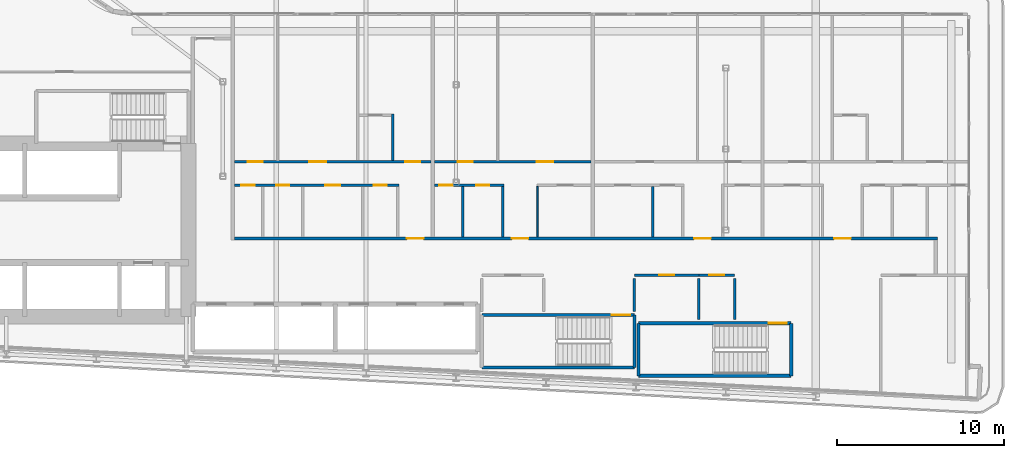
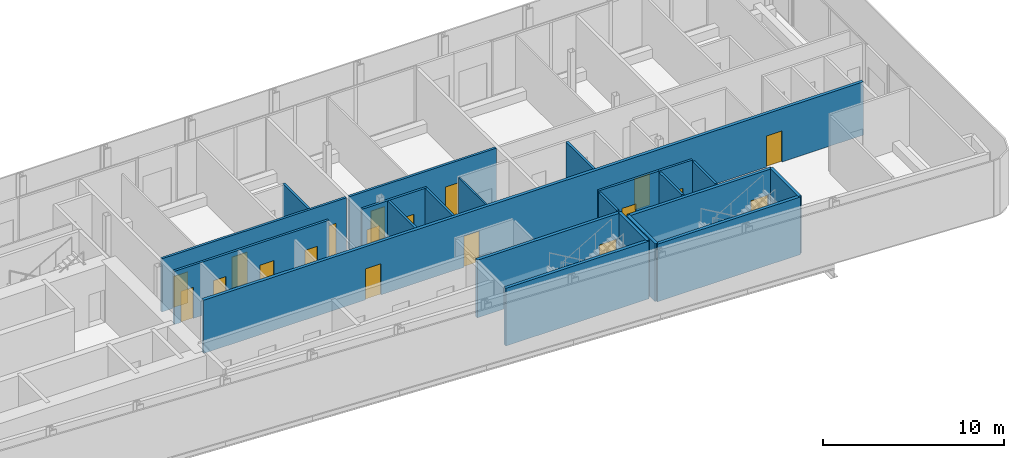
# One storey, part 15 of 27: 22 walls, 19 doors, 19 openings.
"""IFC4 building model written with IfcOpenShell, lengths in metres."""

from ifc_helpers import new_model, si_unit, direction, frame, frame_2d, origin, place, context, subcontext, project, spatial, rectangle, extrude, source, transform, mapped, material, layer, layer_set, type_object, element, fill, save


model = new_model("IFC4")

# Units and contexts
model_context = context("Model", 3, precision=1e-05, world=origin(), true_north=direction((0.0, 1.0)))
body_context = subcontext(model_context, "Body", "Model", "MODEL_VIEW")
ifc_project = project(units=[si_unit("LENGTHUNIT", "METRE"), si_unit("AREAUNIT", "SQUARE_METRE"), si_unit("VOLUMEUNIT", "CUBIC_METRE"), si_unit("PLANEANGLEUNIT", "RADIAN"), si_unit("MASSUNIT", "GRAM", prefix="KILO")], contexts=[model_context])

# Site, building, storey
site_placement = place(None, origin())
site = spatial("IfcSite", under=ifc_project, at=site_placement, CompositionType="ELEMENT")
building_placement = place(site_placement, origin())
building = spatial("IfcBuilding", under=site, at=building_placement, Name="Kheshtan School and Residences Tower", CompositionType="ELEMENT")
storey_placement = place(building_placement, frame((0.0, 0.0, 101.89990234375)))
storey = spatial("IfcBuildingStorey", under=building, at=storey_placement, Name="L23", CompositionType="ELEMENT", Elevation=101.89990234375)

# Wall, openings, doors
ifc_material_1 = material(Name="Gypsum board on steel studs with fire boards", Category="steel")
ifc_layer_1 = layer(ifc_material_1, 0.199951171875)
ifc_layer_set_1 = layer_set([ifc_layer_1], Name="Corridor wall 200")
wall_type_1 = type_object("IfcWallType", Name="Corridor wall 200", PredefinedType="PARTITIONING", material=ifc_layer_set_1)
wall_1_placement = place(storey_placement, frame((55.89990234375, 30.5, 0.0), z_axis=(0.0, 0.0, 1.0), x_axis=(1.0, 0.0, 0.0)))
wall_1 = element("IfcWall", 1, at=wall_1_placement, inside=storey, type_object=wall_type_1, Name="Partition L23-030", PredefinedType="PARTITIONING", context=body_context, shape_type="SweptSolid", body=[
    extrude(rectangle(XDim=42.2001953125, YDim=0.199951171875, at=frame_2d((21.10009765625, 0.0))), origin(), (0.0, 0.0, 1.0), 3.60009765625),
])
opening_1_placement = place(wall_1_placement, frame((10.35009765625, 0.0, 0.0)))
opening_1 = element("IfcOpeningElement", 2, at=opening_1_placement, cuts=wall_1, Name="Opening D23-004", PredefinedType="OPENING", context=body_context, shape_type="SweptSolid", body=[
    extrude(rectangle(XDim=1.0, YDim=2.10009765625, at=frame_2d((0.5, 1.050048828125))), frame((0.0, 0.10986328125, 0.0), z_axis=(0.0, -1.0, 0.0), x_axis=(1.0, 0.0, 0.0)), (0.0, 0.0, 1.0), 0.219970703125),
])
opening_2_placement = place(wall_1_placement, frame((16.64990234375, 0.0, 0.0)))
opening_2 = element("IfcOpeningElement", 3, at=opening_2_placement, cuts=wall_1, Name="Opening D23-012", PredefinedType="OPENING", context=body_context, shape_type="SweptSolid", body=[
    extrude(rectangle(XDim=1.0, YDim=2.10009765625, at=frame_2d((0.5, 1.050048828125))), frame((0.0, 0.10986328125, 0.0), z_axis=(0.0, -1.0, 0.0), x_axis=(1.0, 0.0, 0.0)), (0.0, 0.0, 1.0), 0.219970703125),
])
opening_3_placement = place(wall_1_placement, frame((27.60009765625, 0.0, 0.0)))
opening_3 = element("IfcOpeningElement", 4, at=opening_3_placement, cuts=wall_1, Name="Opening D23-018", PredefinedType="OPENING", context=body_context, shape_type="SweptSolid", body=[
    extrude(rectangle(XDim=1.0, YDim=2.10009765625, at=frame_2d((0.5, 1.050048828125))), frame((0.0, 0.10986328125, 0.0), z_axis=(0.0, -1.0, 0.0), x_axis=(1.0, 0.0, 0.0)), (0.0, 0.0, 1.0), 0.219970703125),
])
opening_4_placement = place(wall_1_placement, frame((36.0, 0.0, 0.0)))
opening_4 = element("IfcOpeningElement", 5, at=opening_4_placement, cuts=wall_1, Name="Opening D23-025", PredefinedType="OPENING", context=body_context, shape_type="SweptSolid", body=[
    extrude(rectangle(XDim=1.0, YDim=2.10009765625, at=frame_2d((0.5, 1.050048828125))), frame((0.0, 0.10986328125, 0.0), z_axis=(0.0, -1.0, 0.0), x_axis=(1.0, 0.0, 0.0)), (0.0, 0.0, 1.0), 0.219970703125),
])
ifc_material_2 = material(Name="Steel-framed fire-resisting door leaf", Category="steel")
door_type_1 = type_object("IfcDoorType", Name="Fire door FD30S 1000 x 2100", OperationType="SINGLE_SWING_LEFT", PredefinedType="DOOR", material=ifc_material_2)
shared_shape_1 = source(origin(), body_context, "Body", "SweptSolid", [
    extrude(rectangle(XDim=1.0, YDim=2.10009765625, at=frame_2d((0.5, 1.050048828125))), frame((0.0, 0.02490234375, 0.0), z_axis=(0.0, -1.0, 0.0), x_axis=(1.0, 0.0, 0.0)), (0.0, 0.0, 1.0), 0.050048828125),
])
door_1_placement = place(opening_1_placement, origin())
door_1 = element("IfcDoor", 6, at=door_1_placement, inside=storey, type_object=door_type_1, Name="Door D23-004", OperationType="SINGLE_SWING_RIGHT", OverallHeight=2.10009765625, OverallWidth=1.0, PredefinedType="DOOR", context=body_context, shape_type="MappedRepresentation", body=[
    mapped(shared_shape_1, transform((0.0, 0.0, 0.0), x_axis=(1.0, 0.0, 0.0), y_axis=(0.0, 1.0, 0.0), z_axis=(0.0, 0.0, 1.0), scale=1.0)),
])
fill(opening_1, door_1)
door_2_placement = place(opening_2_placement, origin())
door_2 = element("IfcDoor", 7, at=door_2_placement, inside=storey, type_object=door_type_1, Name="Door D23-012", OperationType="SINGLE_SWING_RIGHT", OverallHeight=2.10009765625, OverallWidth=1.0, PredefinedType="DOOR", context=body_context, shape_type="MappedRepresentation", body=[
    mapped(shared_shape_1, transform((0.0, 0.0, 0.0), x_axis=(1.0, 0.0, 0.0), y_axis=(0.0, 1.0, 0.0), z_axis=(0.0, 0.0, 1.0), scale=1.0)),
])
fill(opening_2, door_2)
door_3_placement = place(opening_3_placement, origin())
door_3 = element("IfcDoor", 8, at=door_3_placement, inside=storey, type_object=door_type_1, Name="Door D23-018", OperationType="SINGLE_SWING_RIGHT", OverallHeight=2.10009765625, OverallWidth=1.0, PredefinedType="DOOR", context=body_context, shape_type="MappedRepresentation", body=[
    mapped(shared_shape_1, transform((0.0, 0.0, 0.0), x_axis=(1.0, 0.0, 0.0), y_axis=(0.0, 1.0, 0.0), z_axis=(0.0, 0.0, 1.0), scale=1.0)),
])
fill(opening_3, door_3)
door_4_placement = place(opening_4_placement, origin())
door_4 = element("IfcDoor", 9, at=door_4_placement, inside=storey, type_object=door_type_1, Name="Door D23-025", OperationType="SINGLE_SWING_RIGHT", OverallHeight=2.10009765625, OverallWidth=1.0, PredefinedType="DOOR", context=body_context, shape_type="MappedRepresentation", body=[
    mapped(shared_shape_1, transform((0.0, 0.0, 0.0), x_axis=(1.0, 0.0, 0.0), y_axis=(0.0, 1.0, 0.0), z_axis=(0.0, 0.0, 1.0), scale=1.0)),
])
fill(opening_4, door_4)

# Wall
ifc_material_3 = material(Name="Gypsum board on steel studs", Category="steel")
ifc_layer_2 = layer(ifc_material_3, 0.10009765625)
ifc_layer_set_2 = layer_set([ifc_layer_2], Name="Gypsum partition 100")
wall_type_2 = type_object("IfcWallType", Name="Gypsum partition 100", PredefinedType="PARTITIONING", material=ifc_layer_set_2)
wall_2_placement = place(storey_placement, frame((74.10009765625, 30.60009765625, 0.0), z_axis=(0.0, 0.0, 1.0), x_axis=(0.0, 1.0, 0.0)))
element("IfcWall", 10, at=wall_2_placement, inside=storey, type_object=wall_type_2, Name="Partition L23-048", PredefinedType="PARTITIONING", context=body_context, shape_type="SweptSolid", body=[
    extrude(rectangle(XDim=3.02490234375, YDim=0.10009765625, at=frame_2d((1.512451171875, 0.0))), origin(), (0.0, 0.0, 1.0), 3.60009765625),
])

# Wall, opening, door
ifc_material_4 = material(Name="Fire-board shaft wall system")
ifc_layer_3 = layer(ifc_material_4, 0.14990234375)
ifc_layer_set_3 = layer_set([ifc_layer_3], Name="Service room wall 150")
wall_type_3 = type_object("IfcWallType", Name="Service room wall 150", PredefinedType="PARTITIONING", material=ifc_layer_set_3)
wall_3_placement = place(storey_placement, frame((79.909912109375, 28.300048828125, 0.0), z_axis=(0.0, 0.0, 1.0), x_axis=(1.0, 0.0, 0.0)))
wall_3 = element("IfcWall", 11, at=wall_3_placement, inside=storey, type_object=wall_type_3, Name="Service room wall", PredefinedType="PARTITIONING", context=body_context, shape_type="SweptSolid", body=[
    extrude(rectangle(XDim=3.864990234375, YDim=0.14990234375, at=frame_2d((1.9326171875, 0.0))), origin(), (0.0, 0.0, 1.0), 3.900146484375),
])
opening_5_placement = place(wall_3_placement, frame((1.48193359375, 0.0, 0.0)))
opening_5 = element("IfcOpeningElement", 12, at=opening_5_placement, cuts=wall_3, Name="Opening SR90", PredefinedType="OPENING", context=body_context, shape_type="SweptSolid", body=[
    extrude(rectangle(XDim=0.89990234375, YDim=2.199951171875, at=frame_2d((0.449951171875, 1.10009765625))), frame((0.0, 0.0849609375, 0.0), z_axis=(0.0, -1.0, 0.0), x_axis=(1.0, 0.0, 0.0)), (0.0, 0.0, 1.0), 0.169921875),
])
ifc_material_5 = material(Name="Steel door leaf, galvanised", Category="steel")
door_type_2 = type_object("IfcDoorType", Name="Service room door 900 steel 90 min", OperationType="SINGLE_SWING_LEFT", PredefinedType="DOOR", material=ifc_material_5)
shared_shape_2 = source(origin(), body_context, "Body", "SweptSolid", [
    extrude(rectangle(XDim=0.89990234375, YDim=2.199951171875, at=frame_2d((0.449951171875, 1.10009765625))), frame((0.0, 0.02490234375, 0.0), z_axis=(0.0, -1.0, 0.0), x_axis=(1.0, 0.0, 0.0)), (0.0, 0.0, 1.0), 0.050048828125),
])
door_5_placement = place(opening_5_placement, origin())
door_5 = element("IfcDoor", 13, at=door_5_placement, inside=storey, type_object=door_type_2, Name="Service room door", OperationType="SINGLE_SWING_RIGHT", OverallHeight=2.199951171875, OverallWidth=0.89990234375, PredefinedType="DOOR", context=body_context, shape_type="MappedRepresentation", body=[
    mapped(shared_shape_2, transform((0.0, 0.0, 0.0), x_axis=(1.0, 0.0, 0.0), y_axis=(0.0, 1.0, 0.0), z_axis=(0.0, 0.0, 1.0), scale=1.0)),
])
fill(opening_5, door_5)

# Walls
wall_4_placement = place(storey_placement, frame((79.909912109375, 26.1201171875, 0.0), z_axis=(0.0, 0.0, 1.0), x_axis=(0.0, 1.0, 0.0)))
element("IfcWall", 14, at=wall_4_placement, inside=storey, type_object=wall_type_3, Name="Service room wall", PredefinedType="PARTITIONING", context=body_context, shape_type="SweptSolid", body=[
    extrude(rectangle(XDim=1.98486328125, YDim=0.14990234375, at=frame_2d((0.992431640625, 0.0))), origin(), (0.0, 0.0, 1.0), 3.900146484375),
])
wall_5_placement = place(storey_placement, frame((83.77490234375, 25.6201171875, 0.0), z_axis=(0.0, 0.0, 1.0), x_axis=(0.0, 1.0, 0.0)))
element("IfcWall", 15, at=wall_5_placement, inside=storey, type_object=wall_type_3, Name="Service room wall", PredefinedType="PARTITIONING", context=body_context, shape_type="SweptSolid", body=[
    extrude(rectangle(XDim=2.48486328125, YDim=0.14990234375, at=frame_2d((1.242431640625, 0.0))), origin(), (0.0, 0.0, 1.0), 3.900146484375),
])

# Wall, opening, door
wall_6_placement = place(storey_placement, frame((83.77490234375, 28.300048828125, 0.0), z_axis=(0.0, 0.0, 1.0), x_axis=(1.0, 0.0, 0.0)))
wall_6 = element("IfcWall", 16, at=wall_6_placement, inside=storey, type_object=wall_type_3, Name="Service room wall", PredefinedType="PARTITIONING", context=body_context, shape_type="SweptSolid", body=[
    extrude(rectangle(XDim=2.14501953125, YDim=0.14990234375, at=frame_2d((1.072509765625, 0.0))), origin(), (0.0, 0.0, 1.0), 3.900146484375),
])
opening_6_placement = place(wall_6_placement, frame((0.623046875, 0.0, 0.0)))
opening_6 = element("IfcOpeningElement", 17, at=opening_6_placement, cuts=wall_6, Name="Opening SR90", PredefinedType="OPENING", context=body_context, shape_type="SweptSolid", body=[
    extrude(rectangle(XDim=0.89990234375, YDim=2.199951171875, at=frame_2d((0.449951171875, 1.10009765625))), frame((0.0, 0.0849609375, 0.0), z_axis=(0.0, -1.0, 0.0), x_axis=(1.0, 0.0, 0.0)), (0.0, 0.0, 1.0), 0.169921875),
])
door_6_placement = place(opening_6_placement, origin())
door_6 = element("IfcDoor", 18, at=door_6_placement, inside=storey, type_object=door_type_2, Name="Service room door", OperationType="SINGLE_SWING_LEFT", OverallHeight=2.199951171875, OverallWidth=0.89990234375, PredefinedType="DOOR", context=body_context, shape_type="MappedRepresentation", body=[
    mapped(shared_shape_2, transform((0.0, 0.0, 0.0), x_axis=(1.0, 0.0, 0.0), y_axis=(0.0, 1.0, 0.0), z_axis=(0.0, 0.0, 1.0), scale=1.0)),
])
fill(opening_6, door_6)

# Walls
wall_7_placement = place(storey_placement, frame((85.919921875, 25.6201171875, 0.0), z_axis=(0.0, 0.0, 1.0), x_axis=(0.0, 1.0, 0.0)))
element("IfcWall", 19, at=wall_7_placement, inside=storey, type_object=wall_type_3, Name="Service room wall", PredefinedType="PARTITIONING", context=body_context, shape_type="SweptSolid", body=[
    extrude(rectangle(XDim=2.48486328125, YDim=0.14990234375, at=frame_2d((1.242431640625, 0.0))), origin(), (0.0, 0.0, 1.0), 3.900146484375),
])
ifc_material_6 = material(Name="Concrete C40/50", Category="concrete")
ifc_layer_4 = layer(ifc_material_6, 0.199951171875)
ifc_layer_set_4 = layer_set([ifc_layer_4], Name="Stair enclosure wall 200 Concrete C40/50")
wall_type_4 = type_object("IfcWallType", Name="Stair enclosure wall 200 Concrete C40/50", PredefinedType="SHEAR", material=ifc_layer_set_4)
wall_8_placement = place(storey_placement, frame((80.159912109375, 22.25, 0.0), z_axis=(0.0, 0.0, 1.0), x_axis=(1.0, 0.0, 0.0)))
element("IfcWall", 20, at=wall_8_placement, inside=storey, type_object=wall_type_4, Name="Stair enclosure wall ST4", PredefinedType="SHEAR", context=body_context, shape_type="SweptSolid", body=[
    extrude(rectangle(XDim=9.16015625, YDim=0.199951171875, at=frame_2d((4.580078125, 0.0))), origin(), (0.0, 0.0, 1.0), 3.900146484375),
])

# Wall, opening, door
wall_9_placement = place(storey_placement, frame((80.159912109375, 25.39990234375, 0.0), z_axis=(0.0, 0.0, 1.0), x_axis=(1.0, 0.0, 0.0)))
wall_9 = element("IfcWall", 21, at=wall_9_placement, inside=storey, type_object=wall_type_4, Name="Stair enclosure wall ST4", PredefinedType="SHEAR", context=body_context, shape_type="SweptSolid", body=[
    extrude(rectangle(XDim=9.16015625, YDim=0.199951171875, at=frame_2d((4.580078125, 0.0))), origin(), (0.0, 0.0, 1.0), 3.900146484375),
])
opening_7_placement = place(wall_9_placement, frame((7.81005859375, 0.0, 0.0)))
opening_7 = element("IfcOpeningElement", 22, at=opening_7_placement, cuts=wall_9, Name="Opening ST4D", PredefinedType="OPENING", context=body_context, shape_type="SweptSolid", body=[
    extrude(rectangle(XDim=1.10009765625, YDim=2.199951171875, at=frame_2d((0.550048828125, 1.10009765625))), frame((0.0, 0.10986328125, 0.0), z_axis=(0.0, -1.0, 0.0), x_axis=(1.0, 0.0, 0.0)), (0.0, 0.0, 1.0), 0.219970703125),
])
door_type_3 = type_object("IfcDoorType", Name="Stair door 1100 steel 90 min", OperationType="SINGLE_SWING_LEFT", PredefinedType="DOOR", material=ifc_material_5)
shared_shape_3 = source(origin(), body_context, "Body", "SweptSolid", [
    extrude(rectangle(XDim=1.10009765625, YDim=2.199951171875, at=frame_2d((0.550048828125, 1.10009765625))), frame((0.0, 0.02490234375, 0.0), z_axis=(0.0, -1.0, 0.0), x_axis=(1.0, 0.0, 0.0)), (0.0, 0.0, 1.0), 0.050048828125),
])
door_7_placement = place(opening_7_placement, origin())
door_7 = element("IfcDoor", 23, at=door_7_placement, inside=storey, type_object=door_type_3, Name="Stair ST4 door", OperationType="SINGLE_SWING_LEFT", OverallHeight=2.199951171875, OverallWidth=1.10009765625, PredefinedType="DOOR", context=body_context, shape_type="MappedRepresentation", body=[
    mapped(shared_shape_3, transform((0.0, 0.0, 0.0), x_axis=(1.0, 0.0, 0.0), y_axis=(0.0, 1.0, 0.0), z_axis=(0.0, 0.0, 1.0), scale=1.0)),
])
fill(opening_7, door_7)

# Walls
for number, where, z_axis, x_axis, name in (
    (24, (80.159912109375, 22.25, 0.0), (0.0, 0.0, 1.0), (0.0, 1.0, 0.0), "Stair enclosure wall ST4"),
    (25, (89.320068359375, 22.25, 0.0), (0.0, 0.0, 1.0), (0.0, 1.0, 0.0), "Stair enclosure wall ST4"),
):
    element("IfcWall", number, at=place(storey_placement, frame(where, z_axis=z_axis, x_axis=x_axis)), inside=storey, type_object=wall_type_4, Name=name, PredefinedType="SHEAR", context=body_context, shape_type="SweptSolid", body=[
        extrude(rectangle(XDim=3.14990234375, YDim=0.199951171875, at=frame_2d((1.574951171875, 0.0))), origin(), (0.0, 0.0, 1.0), 3.900146484375),
    ])
wall_10_placement = place(storey_placement, frame((70.75, 22.75, 0.0), z_axis=(0.0, 0.0, 1.0), x_axis=(1.0, 0.0, 0.0)))
element("IfcWall", 26, at=wall_10_placement, inside=storey, type_object=wall_type_4, Name="Stair enclosure wall ST5", PredefinedType="SHEAR", context=body_context, shape_type="SweptSolid", body=[
    extrude(rectangle(XDim=9.159912109375, YDim=0.199951171875, at=frame_2d((4.580078125, 0.0))), origin(), (0.0, 0.0, 1.0), 3.900146484375),
])

# Wall, opening, door
wall_11_placement = place(storey_placement, frame((70.75, 25.89990234375, 0.0), z_axis=(0.0, 0.0, 1.0), x_axis=(1.0, 0.0, 0.0)))
wall_11 = element("IfcWall", 27, at=wall_11_placement, inside=storey, type_object=wall_type_4, Name="Stair enclosure wall ST5", PredefinedType="SHEAR", context=body_context, shape_type="SweptSolid", body=[
    extrude(rectangle(XDim=9.159912109375, YDim=0.199951171875, at=frame_2d((4.580078125, 0.0))), origin(), (0.0, 0.0, 1.0), 3.900146484375),
])
opening_8_placement = place(wall_11_placement, frame((7.81005859375, 0.0, 0.0)))
opening_8 = element("IfcOpeningElement", 28, at=opening_8_placement, cuts=wall_11, Name="Opening ST5D", PredefinedType="OPENING", context=body_context, shape_type="SweptSolid", body=[
    extrude(rectangle(XDim=1.10009765625, YDim=2.199951171875, at=frame_2d((0.550048828125, 1.10009765625))), frame((0.0, 0.10986328125, 0.0), z_axis=(0.0, -1.0, 0.0), x_axis=(1.0, 0.0, 0.0)), (0.0, 0.0, 1.0), 0.219970703125),
])
door_8_placement = place(opening_8_placement, origin())
door_8 = element("IfcDoor", 29, at=door_8_placement, inside=storey, type_object=door_type_3, Name="Stair ST5 door", OperationType="SINGLE_SWING_LEFT", OverallHeight=2.199951171875, OverallWidth=1.10009765625, PredefinedType="DOOR", context=body_context, shape_type="MappedRepresentation", body=[
    mapped(shared_shape_3, transform((0.0, 0.0, 0.0), x_axis=(1.0, 0.0, 0.0), y_axis=(0.0, 1.0, 0.0), z_axis=(0.0, 0.0, 1.0), scale=1.0)),
])
fill(opening_8, door_8)

# Wall
wall_12_placement = place(storey_placement, frame((79.909912109375, 22.75, 0.0), z_axis=(0.0, 0.0, 1.0), x_axis=(0.0, 1.0, 0.0)))
element("IfcWall", 30, at=wall_12_placement, inside=storey, type_object=wall_type_4, Name="Stair enclosure wall ST5", PredefinedType="SHEAR", context=body_context, shape_type="SweptSolid", body=[
    extrude(rectangle(XDim=3.14990234375, YDim=0.199951171875, at=frame_2d((1.574951171875, 0.0))), origin(), (0.0, 0.0, 1.0), 3.900146484375),
])

# Wall, openings, doors
ifc_material_7 = material(Name="Moisture-resistant gypsum board on steel studs", Category="steel")
ifc_layer_5 = layer(ifc_material_7, 0.14990234375)
ifc_layer_set_5 = layer_set([ifc_layer_5], Name="Wet-room partition 150")
wall_type_5 = type_object("IfcWallType", Name="Wet-room partition 150", PredefinedType="PARTITIONING", material=ifc_layer_set_5)
wall_13_placement = place(storey_placement, frame((55.89990234375, 33.699951171875, 0.0), z_axis=(0.0, 0.0, 1.0), x_axis=(1.0, 0.0, 0.0)))
wall_13 = element("IfcWall", 31, at=wall_13_placement, inside=storey, type_object=wall_type_5, Name="Partition L23-031", PredefinedType="PARTITIONING", context=body_context, shape_type="SweptSolid", body=[
    extrude(rectangle(XDim=9.875, YDim=0.14990234375, at=frame_2d((4.9375, 0.0))), origin(), (0.0, 0.0, 1.0), 3.60009765625),
])
opening_9_placement = place(wall_13_placement, frame((2.5, 0.0, 0.0)))
opening_9 = element("IfcOpeningElement", 32, at=opening_9_placement, cuts=wall_13, Name="Opening D23-001", PredefinedType="OPENING", context=body_context, shape_type="SweptSolid", body=[
    extrude(rectangle(XDim=0.800048828125, YDim=2.10009765625, at=frame_2d((0.39990234375, 1.050048828125))), frame((0.0, 0.0849609375, 0.0), z_axis=(0.0, -1.0, 0.0), x_axis=(1.0, 0.0, 0.0)), (0.0, 0.0, 1.0), 0.169921875),
])
opening_10_placement = place(wall_13_placement, frame((5.449951171875, 0.0, 0.0)))
opening_10 = element("IfcOpeningElement", 33, at=opening_10_placement, cuts=wall_13, Name="Opening D23-005", PredefinedType="OPENING", context=body_context, shape_type="SweptSolid", body=[
    extrude(rectangle(XDim=0.89990234375, YDim=2.10009765625, at=frame_2d((0.449951171875, 1.050048828125))), frame((0.0, 0.0849609375, 0.0), z_axis=(0.0, -1.0, 0.0), x_axis=(1.0, 0.0, 0.0)), (0.0, 0.0, 1.0), 0.169921875),
])
opening_11_placement = place(wall_13_placement, frame((8.35009765625, 0.0, 0.0)))
opening_11 = element("IfcOpeningElement", 34, at=opening_11_placement, cuts=wall_13, Name="Opening D23-006", PredefinedType="OPENING", context=body_context, shape_type="SweptSolid", body=[
    extrude(rectangle(XDim=0.800048828125, YDim=2.10009765625, at=frame_2d((0.39990234375, 1.050048828125))), frame((0.0, 0.0849609375, 0.0), z_axis=(0.0, -1.0, 0.0), x_axis=(1.0, 0.0, 0.0)), (0.0, 0.0, 1.0), 0.169921875),
])
opening_12_placement = place(wall_13_placement, frame((0.39990234375, 0.0, 0.0)))
opening_12 = element("IfcOpeningElement", 35, at=opening_12_placement, cuts=wall_13, Name="Opening D23-009", PredefinedType="OPENING", context=body_context, shape_type="SweptSolid", body=[
    extrude(rectangle(XDim=0.800048828125, YDim=2.10009765625, at=frame_2d((0.39990234375, 1.050048828125))), frame((0.0, 0.0849609375, 0.0), z_axis=(0.0, -1.0, 0.0), x_axis=(1.0, 0.0, 0.0)), (0.0, 0.0, 1.0), 0.169921875),
])
ifc_material_8 = material(Name="Veneered timber door leaf", Category="wood")
door_type_4 = type_object("IfcDoorType", Name="Door 800 x 2100", OperationType="SINGLE_SWING_LEFT", PredefinedType="DOOR", material=ifc_material_8)
shared_shape_4 = source(origin(), body_context, "Body", "SweptSolid", [
    extrude(rectangle(XDim=0.800048828125, YDim=2.10009765625, at=frame_2d((0.39990234375, 1.050048828125))), frame((0.0, 0.02490234375, 0.0), z_axis=(0.0, -1.0, 0.0), x_axis=(1.0, 0.0, 0.0)), (0.0, 0.0, 1.0), 0.050048828125),
])
door_9_placement = place(opening_9_placement, origin())
door_9 = element("IfcDoor", 36, at=door_9_placement, inside=storey, type_object=door_type_4, Name="Door D23-001", OperationType="SINGLE_SWING_RIGHT", OverallHeight=2.10009765625, OverallWidth=0.800048828125, PredefinedType="DOOR", context=body_context, shape_type="MappedRepresentation", body=[
    mapped(shared_shape_4, transform((0.0, 0.0, 0.0), x_axis=(1.0, 0.0, 0.0), y_axis=(0.0, 1.0, 0.0), z_axis=(0.0, 0.0, 1.0), scale=1.0)),
])
fill(opening_9, door_9)
door_10_placement = place(opening_11_placement, origin())
door_10 = element("IfcDoor", 37, at=door_10_placement, inside=storey, type_object=door_type_4, Name="Door D23-006", OperationType="SINGLE_SWING_LEFT", OverallHeight=2.10009765625, OverallWidth=0.800048828125, PredefinedType="DOOR", context=body_context, shape_type="MappedRepresentation", body=[
    mapped(shared_shape_4, transform((0.0, 0.0, 0.0), x_axis=(1.0, 0.0, 0.0), y_axis=(0.0, 1.0, 0.0), z_axis=(0.0, 0.0, 1.0), scale=1.0)),
])
fill(opening_11, door_10)
door_11_placement = place(opening_12_placement, origin())
door_11 = element("IfcDoor", 38, at=door_11_placement, inside=storey, type_object=door_type_4, Name="Door D23-009", OperationType="SINGLE_SWING_LEFT", OverallHeight=2.10009765625, OverallWidth=0.800048828125, PredefinedType="DOOR", context=body_context, shape_type="MappedRepresentation", body=[
    mapped(shared_shape_4, transform((0.0, 0.0, 0.0), x_axis=(1.0, 0.0, 0.0), y_axis=(0.0, 1.0, 0.0), z_axis=(0.0, 0.0, 1.0), scale=1.0)),
])
fill(opening_12, door_11)
door_type_5 = type_object("IfcDoorType", Name="Door 900 x 2100", OperationType="SINGLE_SWING_LEFT", PredefinedType="DOOR", material=ifc_material_8)
shared_shape_5 = source(origin(), body_context, "Body", "SweptSolid", [
    extrude(rectangle(XDim=0.89990234375, YDim=2.10009765625, at=frame_2d((0.449951171875, 1.050048828125))), frame((0.0, 0.02490234375, 0.0), z_axis=(0.0, -1.0, 0.0), x_axis=(1.0, 0.0, 0.0)), (0.0, 0.0, 1.0), 0.050048828125),
])
door_12_placement = place(opening_10_placement, origin())
door_12 = element("IfcDoor", 39, at=door_12_placement, inside=storey, type_object=door_type_5, Name="Door D23-005", OperationType="SINGLE_SWING_LEFT", OverallHeight=2.10009765625, OverallWidth=0.89990234375, PredefinedType="DOOR", context=body_context, shape_type="MappedRepresentation", body=[
    mapped(shared_shape_5, transform((0.0, 0.0, 0.0), x_axis=(1.0, 0.0, 0.0), y_axis=(0.0, 1.0, 0.0), z_axis=(0.0, 0.0, 1.0), scale=1.0)),
])
fill(opening_10, door_12)

wall_14_placement = place(storey_placement, frame((55.89990234375, 35.10009765625, 0.0), z_axis=(0.0, 0.0, 1.0), x_axis=(1.0, 0.0, 0.0)))
wall_14 = element("IfcWall", 40, at=wall_14_placement, inside=storey, type_object=wall_type_5, Name="Partition L23-032", PredefinedType="PARTITIONING", context=body_context, shape_type="SweptSolid", body=[
    extrude(rectangle(XDim=11.800048828125, YDim=0.14990234375, at=frame_2d((5.89990234375, 0.0))), origin(), (0.0, 0.0, 1.0), 3.60009765625),
])
opening_13_placement = place(wall_14_placement, frame((0.800048828125, 0.0, 0.0)))
opening_13 = element("IfcOpeningElement", 41, at=opening_13_placement, cuts=wall_14, Name="Opening D23-002", PredefinedType="OPENING", context=body_context, shape_type="SweptSolid", body=[
    extrude(rectangle(XDim=0.89990234375, YDim=2.10009765625, at=frame_2d((0.449951171875, 1.050048828125))), frame((0.0, 0.0849609375, 0.0), z_axis=(0.0, -1.0, 0.0), x_axis=(1.0, 0.0, 0.0)), (0.0, 0.0, 1.0), 0.169921875),
])
opening_14_placement = place(wall_14_placement, frame((4.5, 0.0, 0.0)))
opening_14 = element("IfcOpeningElement", 42, at=opening_14_placement, cuts=wall_14, Name="Opening D23-007", PredefinedType="OPENING", context=body_context, shape_type="SweptSolid", body=[
    extrude(rectangle(XDim=1.0, YDim=2.10009765625, at=frame_2d((0.5, 1.050048828125))), frame((0.0, 0.0849609375, 0.0), z_axis=(0.0, -1.0, 0.0), x_axis=(1.0, 0.0, 0.0)), (0.0, 0.0, 1.0), 0.169921875),
])
opening_15_placement = place(wall_14_placement, frame((10.25, 0.0, 0.0)))
opening_15 = element("IfcOpeningElement", 43, at=opening_15_placement, cuts=wall_14, Name="Opening D23-008", PredefinedType="OPENING", context=body_context, shape_type="SweptSolid", body=[
    extrude(rectangle(XDim=0.89990234375, YDim=2.10009765625, at=frame_2d((0.449951171875, 1.050048828125))), frame((0.0, 0.0849609375, 0.0), z_axis=(0.0, -1.0, 0.0), x_axis=(1.0, 0.0, 0.0)), (0.0, 0.0, 1.0), 0.169921875),
])
door_type_6 = type_object("IfcDoorType", Name="Door 1000 x 2100", OperationType="SINGLE_SWING_LEFT", PredefinedType="DOOR", material=ifc_material_8)
shared_shape_6 = source(origin(), body_context, "Body", "SweptSolid", [
    extrude(rectangle(XDim=1.0, YDim=2.10009765625, at=frame_2d((0.5, 1.050048828125))), frame((0.0, 0.02490234375, 0.0), z_axis=(0.0, -1.0, 0.0), x_axis=(1.0, 0.0, 0.0)), (0.0, 0.0, 1.0), 0.050048828125),
])
door_13_placement = place(opening_14_placement, origin())
door_13 = element("IfcDoor", 44, at=door_13_placement, inside=storey, type_object=door_type_6, Name="Door D23-007", OperationType="SINGLE_SWING_RIGHT", OverallHeight=2.10009765625, OverallWidth=1.0, PredefinedType="DOOR", context=body_context, shape_type="MappedRepresentation", body=[
    mapped(shared_shape_6, transform((0.0, 0.0, 0.0), x_axis=(1.0, 0.0, 0.0), y_axis=(0.0, 1.0, 0.0), z_axis=(0.0, 0.0, 1.0), scale=1.0)),
])
fill(opening_14, door_13)
door_14_placement = place(opening_13_placement, origin())
door_14 = element("IfcDoor", 45, at=door_14_placement, inside=storey, type_object=door_type_5, Name="Door D23-002", OperationType="SINGLE_SWING_RIGHT", OverallHeight=2.10009765625, OverallWidth=0.89990234375, PredefinedType="DOOR", context=body_context, shape_type="MappedRepresentation", body=[
    mapped(shared_shape_5, transform((0.0, 0.0, 0.0), x_axis=(1.0, 0.0, 0.0), y_axis=(0.0, 1.0, 0.0), z_axis=(0.0, 0.0, 1.0), scale=1.0)),
])
fill(opening_13, door_14)
door_15_placement = place(opening_15_placement, origin())
door_15 = element("IfcDoor", 46, at=door_15_placement, inside=storey, type_object=door_type_5, Name="Door D23-008", OperationType="SINGLE_SWING_LEFT", OverallHeight=2.10009765625, OverallWidth=0.89990234375, PredefinedType="DOOR", context=body_context, shape_type="MappedRepresentation", body=[
    mapped(shared_shape_5, transform((0.0, 0.0, 0.0), x_axis=(1.0, 0.0, 0.0), y_axis=(0.0, 1.0, 0.0), z_axis=(0.0, 0.0, 1.0), scale=1.0)),
])
fill(opening_15, door_15)

# Wall
wall_15_placement = place(storey_placement, frame((65.39990234375, 35.175048828125, 0.0), z_axis=(0.0, 0.0, 1.0), x_axis=(0.0, 1.0, 0.0)))
element("IfcWall", 47, at=wall_15_placement, inside=storey, type_object=wall_type_5, Name="Partition L23-039", PredefinedType="PARTITIONING", context=body_context, shape_type="SweptSolid", body=[
    extrude(rectangle(XDim=2.800048828125, YDim=0.14990234375, at=frame_2d((1.39990234375, 0.0))), origin(), (0.0, 0.0, 1.0), 3.60009765625),
])

# Wall, openings, doors
wall_16_placement = place(storey_placement, frame((67.89990234375, 33.699951171875, 0.0), z_axis=(0.0, 0.0, 1.0), x_axis=(1.0, 0.0, 0.0)))
wall_16 = element("IfcWall", 48, at=wall_16_placement, inside=storey, type_object=wall_type_5, Name="Partition L23-042", PredefinedType="PARTITIONING", context=body_context, shape_type="SweptSolid", body=[
    extrude(rectangle(XDim=4.175048828125, YDim=0.14990234375, at=frame_2d((2.08740234375, 0.0))), origin(), (0.0, 0.0, 1.0), 3.60009765625),
])
opening_16_placement = place(wall_16_placement, frame((2.5, 0.0, 0.0)))
opening_16 = element("IfcOpeningElement", 49, at=opening_16_placement, cuts=wall_16, Name="Opening D23-010", PredefinedType="OPENING", context=body_context, shape_type="SweptSolid", body=[
    extrude(rectangle(XDim=0.800048828125, YDim=2.10009765625, at=frame_2d((0.39990234375, 1.050048828125))), frame((0.0, 0.0849609375, 0.0), z_axis=(0.0, -1.0, 0.0), x_axis=(1.0, 0.0, 0.0)), (0.0, 0.0, 1.0), 0.169921875),
])
opening_17_placement = place(wall_16_placement, frame((0.300048828125, 0.0, 0.0)))
opening_17 = element("IfcOpeningElement", 50, at=opening_17_placement, cuts=wall_16, Name="Opening D23-015", PredefinedType="OPENING", context=body_context, shape_type="SweptSolid", body=[
    extrude(rectangle(XDim=0.800048828125, YDim=2.10009765625, at=frame_2d((0.39990234375, 1.050048828125))), frame((0.0, 0.0849609375, 0.0), z_axis=(0.0, -1.0, 0.0), x_axis=(1.0, 0.0, 0.0)), (0.0, 0.0, 1.0), 0.169921875),
])
door_16_placement = place(opening_16_placement, origin())
door_16 = element("IfcDoor", 51, at=door_16_placement, inside=storey, type_object=door_type_4, Name="Door D23-010", OperationType="SINGLE_SWING_RIGHT", OverallHeight=2.10009765625, OverallWidth=0.800048828125, PredefinedType="DOOR", context=body_context, shape_type="MappedRepresentation", body=[
    mapped(shared_shape_4, transform((0.0, 0.0, 0.0), x_axis=(1.0, 0.0, 0.0), y_axis=(0.0, 1.0, 0.0), z_axis=(0.0, 0.0, 1.0), scale=1.0)),
])
fill(opening_16, door_16)
door_17_placement = place(opening_17_placement, origin())
door_17 = element("IfcDoor", 52, at=door_17_placement, inside=storey, type_object=door_type_4, Name="Door D23-015", OperationType="SINGLE_SWING_RIGHT", OverallHeight=2.10009765625, OverallWidth=0.800048828125, PredefinedType="DOOR", context=body_context, shape_type="MappedRepresentation", body=[
    mapped(shared_shape_4, transform((0.0, 0.0, 0.0), x_axis=(1.0, 0.0, 0.0), y_axis=(0.0, 1.0, 0.0), z_axis=(0.0, 0.0, 1.0), scale=1.0)),
])
fill(opening_17, door_17)

wall_17_placement = place(storey_placement, frame((67.89990234375, 35.10009765625, 0.0), z_axis=(0.0, 0.0, 1.0), x_axis=(1.0, 0.0, 0.0)))
wall_17 = element("IfcWall", 53, at=wall_17_placement, inside=storey, type_object=wall_type_5, Name="Partition L23-043", PredefinedType="PARTITIONING", context=body_context, shape_type="SweptSolid", body=[
    extrude(rectangle(XDim=9.400146484375, YDim=0.14990234375, at=frame_2d((4.7001953125, 0.0))), origin(), (0.0, 0.0, 1.0), 3.60009765625),
])
opening_18_placement = place(wall_17_placement, frame((1.39990234375, 0.0, 0.0)))
opening_18 = element("IfcOpeningElement", 54, at=opening_18_placement, cuts=wall_17, Name="Opening D23-011", PredefinedType="OPENING", context=body_context, shape_type="SweptSolid", body=[
    extrude(rectangle(XDim=0.89990234375, YDim=2.10009765625, at=frame_2d((0.449951171875, 1.050048828125))), frame((0.0, 0.0849609375, 0.0), z_axis=(0.0, -1.0, 0.0), x_axis=(1.0, 0.0, 0.0)), (0.0, 0.0, 1.0), 0.169921875),
])
opening_19_placement = place(wall_17_placement, frame((6.14990234375, 0.0, 0.0)))
opening_19 = element("IfcOpeningElement", 55, at=opening_19_placement, cuts=wall_17, Name="Opening D23-014", PredefinedType="OPENING", context=body_context, shape_type="SweptSolid", body=[
    extrude(rectangle(XDim=1.0, YDim=2.10009765625, at=frame_2d((0.5, 1.050048828125))), frame((0.0, 0.0849609375, 0.0), z_axis=(0.0, -1.0, 0.0), x_axis=(1.0, 0.0, 0.0)), (0.0, 0.0, 1.0), 0.169921875),
])
door_18_placement = place(opening_19_placement, origin())
door_18 = element("IfcDoor", 56, at=door_18_placement, inside=storey, type_object=door_type_6, Name="Door D23-014", OperationType="SINGLE_SWING_LEFT", OverallHeight=2.10009765625, OverallWidth=1.0, PredefinedType="DOOR", context=body_context, shape_type="MappedRepresentation", body=[
    mapped(shared_shape_6, transform((0.0, 0.0, 0.0), x_axis=(1.0, 0.0, 0.0), y_axis=(0.0, 1.0, 0.0), z_axis=(0.0, 0.0, 1.0), scale=1.0)),
])
fill(opening_19, door_18)
door_19_placement = place(opening_18_placement, origin())
door_19 = element("IfcDoor", 57, at=door_19_placement, inside=storey, type_object=door_type_5, Name="Door D23-011", OperationType="SINGLE_SWING_RIGHT", OverallHeight=2.10009765625, OverallWidth=0.89990234375, PredefinedType="DOOR", context=body_context, shape_type="MappedRepresentation", body=[
    mapped(shared_shape_5, transform((0.0, 0.0, 0.0), x_axis=(1.0, 0.0, 0.0), y_axis=(0.0, 1.0, 0.0), z_axis=(0.0, 0.0, 1.0), scale=1.0)),
])
fill(opening_18, door_19)

# Walls
for number, where, z_axis, x_axis, name in (
    (58, (69.60009765625, 30.60009765625, 0.0), (0.0, 0.0, 1.0), (0.0, 1.0, 0.0), "Partition L23-044"),
    (59, (72.0, 30.60009765625, 0.0), (0.0, 0.0, 1.0), (0.0, 1.0, 0.0), "Partition L23-046"),
    (60, (81.0, 30.60009765625, 0.0), (0.0, 0.0, 1.0), (0.0, 1.0, 0.0), "Partition L23-052"),
):
    element("IfcWall", number, at=place(storey_placement, frame(where, z_axis=z_axis, x_axis=x_axis)), inside=storey, type_object=wall_type_5, Name=name, PredefinedType="PARTITIONING", context=body_context, shape_type="SweptSolid", body=[
        extrude(rectangle(XDim=3.02490234375, YDim=0.14990234375, at=frame_2d((1.512451171875, 0.0))), origin(), (0.0, 0.0, 1.0), 3.60009765625),
    ])

save(model, "model.ifc")
